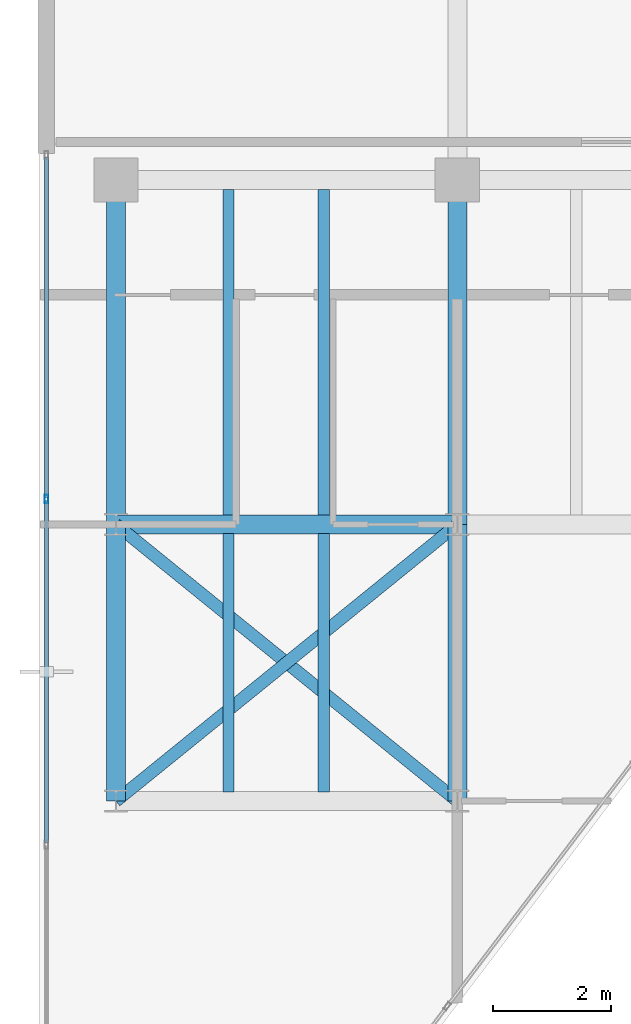
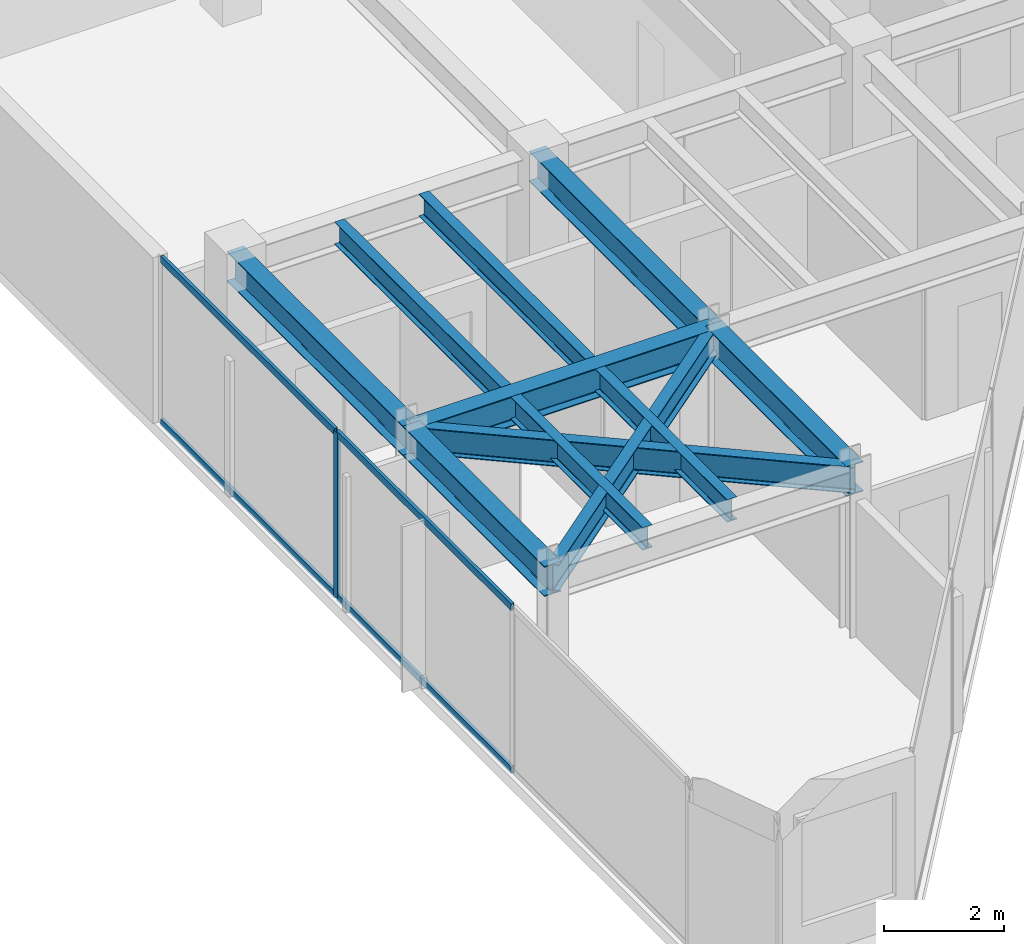
# One storey, part 3 of 17: 11 beams, 5 members, 1 element without a shape of its own.
"""IFC4 building model written with IfcOpenShell, lengths in metres."""

from ifc_helpers import new_model, si_unit, direction, frame, origin, origin_2d, place, context, subcontext, project, spatial, hollow_rectangle, i_section, extrude, material, layer, layer_set, material_profile, profile_set, type_object, element, aggregate, save


model = new_model("IFC4")

# Units and contexts
model_context = context("Model", 3, precision=1e-05, world=origin(), true_north=direction((0.0, 1.0)))
body_context = subcontext(model_context, "Body", "Model", "MODEL_VIEW")
ifc_project = project(units=[si_unit("LENGTHUNIT", "METRE"), si_unit("AREAUNIT", "SQUARE_METRE"), si_unit("VOLUMEUNIT", "CUBIC_METRE"), si_unit("PLANEANGLEUNIT", "RADIAN"), si_unit("MASSUNIT", "GRAM", prefix="KILO")], contexts=[model_context])

# Site, building, storey
site_placement = place(None, origin())
site = spatial("IfcSite", under=ifc_project, at=site_placement, CompositionType="ELEMENT")
building_placement = place(site_placement, origin())
building = spatial("IfcBuilding", under=site, at=building_placement, Name="Kravanh Interchange Tower", CompositionType="ELEMENT")
storey_placement = place(building_placement, frame((0.0, 0.0, 282.300048828125)))
storey = spatial("IfcBuildingStorey", under=building, at=storey_placement, Name="L69", CompositionType="ELEMENT", Elevation=282.300048828125)

# Curtain wall, members
ifc_material_1 = material(Name="Anodised Bronze Aluminium", Category="aluminium")
ifc_layer = layer(ifc_material_1, 0.179931640625)
ifc_layer_set = layer_set([ifc_layer], Name="Unitised Curtain Wall System CW-HTL Luxury Hotel")
curtain_wall_type = type_object("IfcCurtainWallType", Name="Unitised Curtain Wall System CW-HTL Luxury Hotel", PredefinedType="NOTDEFINED", material=ifc_layer_set)
curtain_wall_placement = place(storey_placement, origin())
curtain_wall = element("IfcCurtainWall", 1, at=curtain_wall_placement, inside=storey, type_object=curtain_wall_type, Name="L69 Unitised Curtain Wall CW-L69-01", PredefinedType="NOTDEFINED")
ifc_material_2 = material(Name="Anodised Bronze Aluminium", Category="aluminium")
ifc_material_profile_1 = material_profile(ifc_material_2, hollow_rectangle(XDim=0.06005859375, YDim=0.139892578125, WallThickness=0.00390625, at=origin_2d()), Name="ALU60X140X4")
ifc_profile_set_1 = profile_set([ifc_material_profile_1], Name="Anodised Bronze Aluminium")
member_type_1 = type_object("IfcMemberType", Name="Curtain Wall Mullion ALU60X140X4 Bronze", PredefinedType="MULLION", material=ifc_profile_set_1)
member_1_placement = place(storey_placement, frame((31.6201171875, 31.929931640625, 0.0), z_axis=(0.0, 0.0, 1.0), x_axis=(-1.0, 0.0, 0.0)))
member_1 = element("IfcMember", 2, at=member_1_placement, type_object=member_type_1, Name="CW-HTL mullion 3", PredefinedType="MULLION", context=body_context, shape_type="SweptSolid", body=[
    extrude(hollow_rectangle(XDim=0.06005859375, YDim=0.139892578125, WallThickness=0.00390625, at=origin_2d()), origin(), (0.0, 0.0, 1.0), 3.364990234375),
])
ifc_material_3 = material(Name="Anodised Bronze Aluminium", Category="aluminium")
ifc_material_profile_2 = material_profile(ifc_material_3, hollow_rectangle(XDim=0.06005859375, YDim=0.139892578125, WallThickness=0.00390625, at=origin_2d()), Name="ALU60X140X4")
ifc_profile_set_2 = profile_set([ifc_material_profile_2], Name="Anodised Bronze Aluminium")
member_type_2 = type_object("IfcMemberType", Name="Curtain Wall Transom ALU60X140X4 Bronze", PredefinedType="USERDEFINED", material=ifc_profile_set_2)
member_2_placement = place(storey_placement, frame((31.6201171875, 26.08984375, 0.030029296875), z_axis=(0.0, 1.0, 0.0), x_axis=(-1.0, 0.0, 0.0)))
member_2 = element("IfcMember", 3, at=member_2_placement, type_object=member_type_2, Name="CW-HTL transom 2.1", ObjectType="TRANSOM", PredefinedType="USERDEFINED", context=body_context, shape_type="SweptSolid", body=[
    extrude(hollow_rectangle(XDim=0.06005859375, YDim=0.139892578125, WallThickness=0.00390625, at=origin_2d()), origin(), (0.0, 0.0, 1.0), 5.81005859375),
])
member_3_placement = place(storey_placement, frame((31.6201171875, 26.08984375, 3.3349609375), z_axis=(0.0, 1.0, 0.0), x_axis=(-1.0, 0.0, 0.0)))
member_3 = element("IfcMember", 4, at=member_3_placement, type_object=member_type_2, Name="CW-HTL transom 2.2", ObjectType="TRANSOM", PredefinedType="USERDEFINED", context=body_context, shape_type="SweptSolid", body=[
    extrude(hollow_rectangle(XDim=0.06005859375, YDim=0.139892578125, WallThickness=0.00390625, at=origin_2d()), origin(), (0.0, 0.0, 1.0), 5.81005859375),
])
member_4_placement = place(storey_placement, frame((31.6201171875, 31.9599609375, 0.030029296875), z_axis=(0.0, 1.0, 0.0), x_axis=(-1.0, 0.0, 0.0)))
member_4 = element("IfcMember", 5, at=member_4_placement, type_object=member_type_2, Name="CW-HTL transom 3.1", ObjectType="TRANSOM", PredefinedType="USERDEFINED", context=body_context, shape_type="SweptSolid", body=[
    extrude(hollow_rectangle(XDim=0.06005859375, YDim=0.139892578125, WallThickness=0.00390625, at=origin_2d()), origin(), (0.0, 0.0, 1.0), 5.780029296875),
])
member_5_placement = place(storey_placement, frame((31.6201171875, 31.9599609375, 3.3349609375), z_axis=(0.0, 1.0, 0.0), x_axis=(-1.0, 0.0, 0.0)))
member_5 = element("IfcMember", 6, at=member_5_placement, type_object=member_type_2, Name="CW-HTL transom 3.2", ObjectType="TRANSOM", PredefinedType="USERDEFINED", context=body_context, shape_type="SweptSolid", body=[
    extrude(hollow_rectangle(XDim=0.06005859375, YDim=0.139892578125, WallThickness=0.00390625, at=origin_2d()), origin(), (0.0, 0.0, 1.0), 5.780029296875),
])
aggregate(curtain_wall, [member_1, member_2, member_3, member_4, member_5])

# Beams
ifc_material_4 = material(Name="Structural Steel S355", Category="steel")
ifc_material_profile_3 = material_profile(ifc_material_4, i_section(OverallWidth=0.323974609375, OverallDepth=0.611083984375, WebThickness=0.0126953125, FlangeThickness=0.01904296875, FilletRadius=0.02197265625, at=origin_2d()), Name="W24X104")
ifc_profile_set_3 = profile_set([ifc_material_profile_3], Name="Structural Steel S355")
beam_type_1 = type_object("IfcBeamType", Name="Floor Beam W24X104 Structural Steel S355", PredefinedType="BEAM", material=ifc_profile_set_3)
beam_1_placement = place(storey_placement, frame((38.60009765625, 31.5, 3.0595703125), z_axis=(0.0, -1.0, 0.0), x_axis=(1.0, 0.0, 0.0)))
element("IfcBeam", 7, at=beam_1_placement, inside=storey, type_object=beam_type_1, Name="L69 Primary Floor Girder 17", PredefinedType="BEAM", context=body_context, shape_type="SweptSolid", body=[
    extrude(i_section(OverallWidth=0.323974609375, OverallDepth=0.611083984375, WebThickness=0.0126953125, FlangeThickness=0.01904296875, FilletRadius=0.02197265625, at=origin_2d()), origin(), (0.0, 0.0, 1.0), 4.699951171875),
])
beam_2_placement = place(storey_placement, frame((38.60009765625, 31.5, 3.0595703125), z_axis=(-1.0, 0.0, 0.0), x_axis=(0.0, -1.0, 0.0)))
element("IfcBeam", 8, at=beam_2_placement, inside=storey, type_object=beam_type_1, Name="L69 Primary Floor Girder 18", PredefinedType="BEAM", context=body_context, shape_type="SweptSolid", body=[
    extrude(i_section(OverallWidth=0.323974609375, OverallDepth=0.611083984375, WebThickness=0.0126953125, FlangeThickness=0.01904296875, FilletRadius=0.02197265625, at=origin_2d()), origin(), (0.0, 0.0, 1.0), 5.800048828125),
])
beam_3_placement = place(storey_placement, frame((38.60009765625, 31.5, 3.0595703125), z_axis=(0.0, 1.0, 0.0), x_axis=(-1.0, 0.0, 0.0)))
element("IfcBeam", 9, at=beam_3_placement, inside=storey, type_object=beam_type_1, Name="L69 Primary Floor Girder 19", PredefinedType="BEAM", context=body_context, shape_type="SweptSolid", body=[
    extrude(i_section(OverallWidth=0.323974609375, OverallDepth=0.611083984375, WebThickness=0.0126953125, FlangeThickness=0.01904296875, FilletRadius=0.02197265625, at=origin_2d()), origin(), (0.0, 0.0, 1.0), 5.85009765625),
])
beam_4_placement = place(storey_placement, frame((32.800048828125, 31.5, 3.0595703125), z_axis=(0.0, -1.0, 0.0), x_axis=(1.0, 0.0, 0.0)))
element("IfcBeam", 10, at=beam_4_placement, inside=storey, type_object=beam_type_1, Name="L69 Primary Floor Girder 21", PredefinedType="BEAM", context=body_context, shape_type="SweptSolid", body=[
    extrude(i_section(OverallWidth=0.323974609375, OverallDepth=0.611083984375, WebThickness=0.0126953125, FlangeThickness=0.01904296875, FilletRadius=0.02197265625, at=origin_2d()), origin(), (0.0, 0.0, 1.0), 4.699951171875),
])
beam_5_placement = place(storey_placement, frame((32.800048828125, 31.5, 3.0595703125), z_axis=(0.0, 1.0, 0.0), x_axis=(-1.0, 0.0, 0.0)))
element("IfcBeam", 11, at=beam_5_placement, inside=storey, type_object=beam_type_1, Name="L69 Primary Floor Girder 22", PredefinedType="BEAM", context=body_context, shape_type="SweptSolid", body=[
    extrude(i_section(OverallWidth=0.323974609375, OverallDepth=0.611083984375, WebThickness=0.0126953125, FlangeThickness=0.01904296875, FilletRadius=0.02197265625, at=origin_2d()), origin(), (0.0, 0.0, 1.0), 5.85009765625),
])
ifc_material_5 = material(Name="Structural Steel S355", Category="steel")
ifc_material_profile_4 = material_profile(ifc_material_5, i_section(OverallWidth=0.18994140625, OverallDepth=0.45703125, WebThickness=0.009033203125, FlangeThickness=0.014404296875, FilletRadius=0.01806640625, at=origin_2d()), Name="W18X50")
ifc_profile_set_4 = profile_set([ifc_material_profile_4], Name="Structural Steel S355")
beam_type_2 = type_object("IfcBeamType", Name="Floor Joist W18X50 Structural Steel S355", PredefinedType="JOIST", material=ifc_profile_set_4)
for number, where, z_axis, x_axis, name in (
    (12, (34.7099609375, 26.95703125, 3.136474609375), (0.0, 1.0, 0.0), (-1.0, 0.0, 0.0), "L69 Secondary Floor Joist 3"),
    (13, (36.330078125, 26.95703125, 3.136474609375), (0.0, 1.0, 0.0), (-1.0, 0.0, 0.0), "L69 Secondary Floor Joist 4"),
):
    element("IfcBeam", number, at=place(storey_placement, frame(where, z_axis=z_axis, x_axis=x_axis)), inside=storey, type_object=beam_type_2, Name=name, PredefinedType="JOIST", context=body_context, shape_type="SweptSolid", body=[
        extrude(i_section(OverallWidth=0.18994140625, OverallDepth=0.45703125, WebThickness=0.009033203125, FlangeThickness=0.014404296875, FilletRadius=0.01806640625, at=origin_2d()), origin(), (0.0, 0.0, 1.0), 4.385986328125),
    ])
for number, where, z_axis, x_axis, name in (
    (14, (34.7099609375, 31.656982421875, 3.136474609375), (0.0, 1.0, 0.0), (-1.0, 0.0, 0.0), "L69 Secondary Floor Joist 9"),
    (15, (36.330078125, 31.656982421875, 3.136474609375), (0.0, 1.0, 0.0), (-1.0, 0.0, 0.0), "L69 Secondary Floor Joist 10"),
):
    element("IfcBeam", number, at=place(storey_placement, frame(where, z_axis=z_axis, x_axis=x_axis)), inside=storey, type_object=beam_type_2, Name=name, PredefinedType="JOIST", context=body_context, shape_type="SweptSolid", body=[
        extrude(i_section(OverallWidth=0.18994140625, OverallDepth=0.45703125, WebThickness=0.009033203125, FlangeThickness=0.014404296875, FilletRadius=0.01806640625, at=origin_2d()), origin(), (0.0, 0.0, 1.0), 5.5361328125),
    ])
ifc_material_6 = material(Name="Structural Steel S355", Category="steel")
ifc_material_profile_5 = material_profile(ifc_material_6, i_section(OverallWidth=0.2099609375, OverallDepth=0.537109375, WebThickness=0.010986328125, FlangeThickness=0.017333984375, FilletRadius=0.02001953125, at=origin_2d()), Name="W21X68")
ifc_profile_set_5 = profile_set([ifc_material_profile_5], Name="Structural Steel S355")
beam_type_3 = type_object("IfcBeamType", Name="Floor Spandrel W21X68 Structural Steel S355", PredefinedType="SPANDREL", material=ifc_profile_set_5)
for number, where, z_axis, x_axis, name in (
    (16, (38.60009765625, 31.5, 3.096435546875), (-0.776938619557, -0.629576350764, 0.0), (0.629576350764, -0.776938619557, 0.0), "L69 Perimeter Spandrel 20"),
    (17, (32.800048828125, 31.5, 3.096435546875), (0.776938619557, -0.629576350764, 0.0), (0.629576350764, 0.776938619557, 0.0), "L69 Perimeter Spandrel 23"),
):
    element("IfcBeam", number, at=place(storey_placement, frame(where, z_axis=z_axis, x_axis=x_axis)), inside=storey, type_object=beam_type_3, Name=name, PredefinedType="SPANDREL", context=body_context, shape_type="SweptSolid", body=[
        extrude(i_section(OverallWidth=0.2099609375, OverallDepth=0.537109375, WebThickness=0.010986328125, FlangeThickness=0.017333984375, FilletRadius=0.02001953125, at=origin_2d()), origin(), (0.0, 0.0, 1.0), 7.46533203125),
    ])

save(model, "model.ifc")
